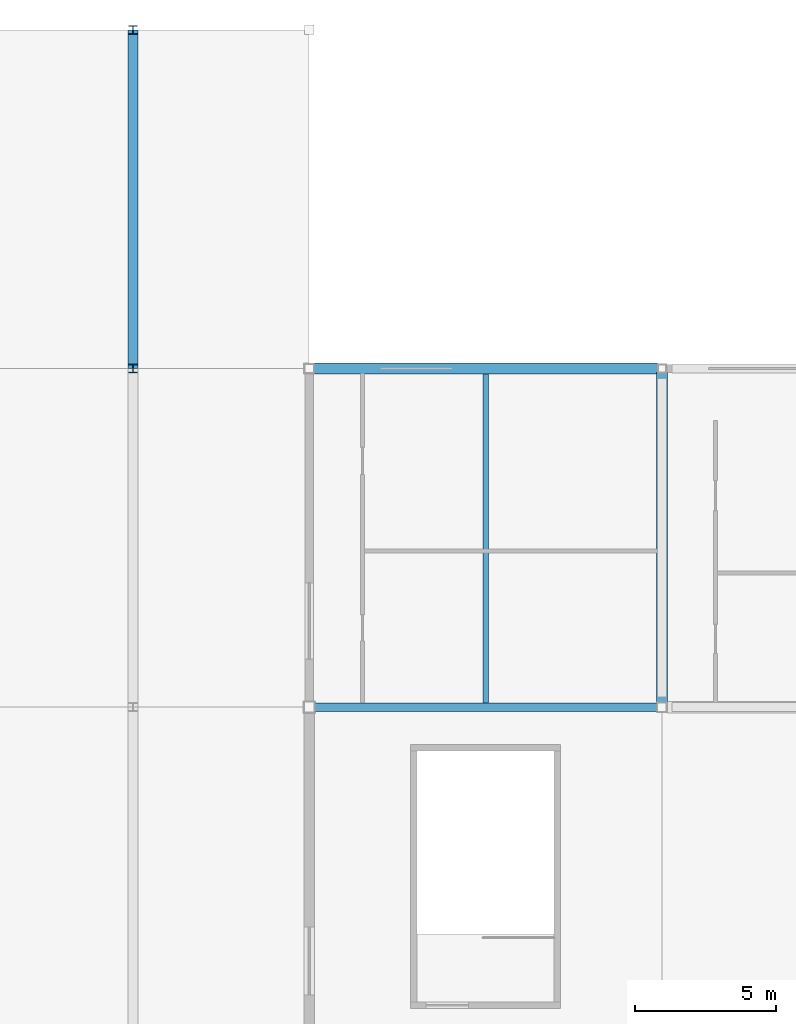
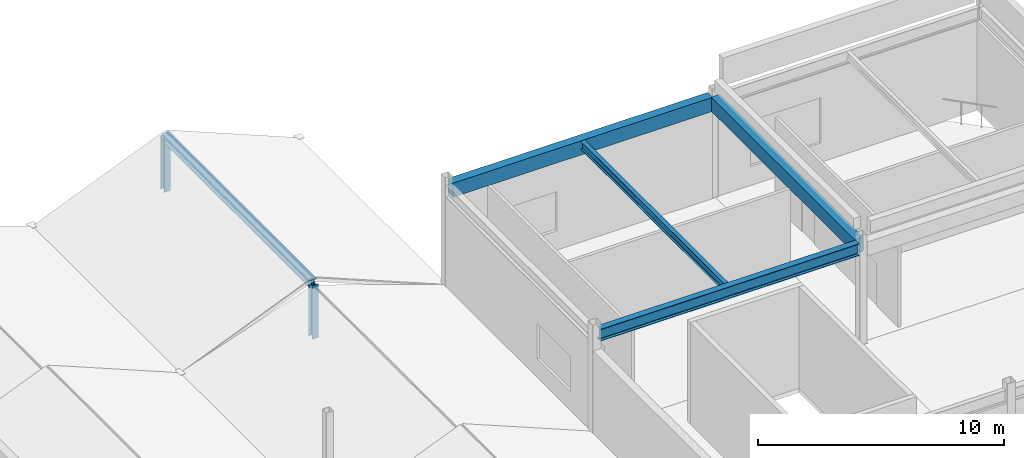
# One storey, part 48 of 76: 4 beams, 3 members.
"""IFC4 building model written with IfcOpenShell, lengths in metres."""

from ifc_helpers import new_model, si_unit, direction, frame, origin, origin_2d, place, context, subcontext, project, spatial, rectangle, i_section, extrude, material, material_profile, profile_set, type_object, element, save


model = new_model("IFC4")

# Units and contexts
model_context = context("Model", 3, precision=1e-05, world=origin(), true_north=direction((0.0, 1.0)))
body_context = subcontext(model_context, "Body", "Model", "MODEL_VIEW")
ifc_project = project(units=[si_unit("LENGTHUNIT", "METRE"), si_unit("AREAUNIT", "SQUARE_METRE"), si_unit("VOLUMEUNIT", "CUBIC_METRE"), si_unit("PLANEANGLEUNIT", "RADIAN"), si_unit("MASSUNIT", "GRAM", prefix="KILO")], contexts=[model_context])

# Site, building, storey
site_placement = place(None, origin())
site = spatial("IfcSite", under=ifc_project, at=site_placement, CompositionType="ELEMENT")
building_placement = place(site_placement, origin())
building = spatial("IfcBuilding", under=site, at=building_placement, Name="Kazenohara Klinker Stadium", CompositionType="ELEMENT")
storey_placement = place(building_placement, frame((0.0, 0.0, 25.800048828125)))
storey = spatial("IfcBuildingStorey", under=building, at=storey_placement, Name="L05", CompositionType="ELEMENT", Elevation=25.800048828125)

# Beams
ifc_material_1 = material(Name="Steel S355", Category="steel")
ifc_material_profile_1 = material_profile(ifc_material_1, i_section(OverallWidth=0.199951171875, OverallDepth=0.39990234375, WebThickness=0.008056640625, FlangeThickness=0.012939453125, FilletRadius=0.012939453125, at=origin_2d()), Name="H-400x200x8x13")
ifc_profile_set_1 = profile_set([ifc_material_profile_1], Name="Steel S355")
beam_type_1 = type_object("IfcBeamType", Name="BM-JST03", PredefinedType="JOIST", material=ifc_profile_set_1)
beam_1_placement = place(storey_placement, frame((181.25, 144.14990234375, 4.83984375), z_axis=(0.0, 1.0, 0.0), x_axis=(-1.0, 0.0, 0.0)))
element("IfcBeam", 1, at=beam_1_placement, inside=storey, type_object=beam_type_1, Name="Secondary floor joist SJ03 L05 15/N", PredefinedType="JOIST", context=body_context, shape_type="SweptSolid", body=[
    extrude(i_section(OverallWidth=0.199951171875, OverallDepth=0.39990234375, WebThickness=0.008056640625, FlangeThickness=0.012939453125, FilletRadius=0.012939453125, at=origin_2d()), origin(), (0.0, 0.0, 1.0), 11.650146484375),
])
ifc_material_2 = material(Name="Concrete C40/50", Category="concrete")
ifc_material_profile_2 = material_profile(ifc_material_2, rectangle(XDim=0.39990234375, YDim=0.699951171875, at=origin_2d()), Name="RC-BM-400x700")
ifc_profile_set_2 = profile_set([ifc_material_profile_2], Name="Concrete C40/50")
beam_type_2 = type_object("IfcBeamType", Name="BM-RC04", PredefinedType="BEAM", material=ifc_profile_set_2)
beam_2_placement = place(storey_placement, frame((175.175048828125, 156.0, 4.68994140625), z_axis=(1.0, 0.0, 0.0), x_axis=(0.0, 1.0, 0.0)))
element("IfcBeam", 2, at=beam_2_placement, inside=storey, type_object=beam_type_2, Name="Primary girder BG04 L05 15-16/P", PredefinedType="BEAM", context=body_context, shape_type="SweptSolid", body=[
    extrude(rectangle(XDim=0.39990234375, YDim=0.699951171875, at=origin_2d()), origin(), (0.0, 0.0, 1.0), 12.175048828125),
])
beam_3_placement = place(storey_placement, frame((187.5, 144.175048828125, 4.68994140625), z_axis=(0.0, 1.0, 0.0), x_axis=(-1.0, 0.0, 0.0)))
element("IfcBeam", 3, at=beam_3_placement, inside=storey, type_object=beam_type_2, Name="Primary girder BG04 L05 16/N-P", PredefinedType="BEAM", context=body_context, shape_type="SweptSolid", body=[
    extrude(rectangle(XDim=0.39990234375, YDim=0.699951171875, at=origin_2d()), origin(), (0.0, 0.0, 1.0), 11.675048828125),
])
ifc_material_profile_3 = material_profile(ifc_material_1, i_section(OverallWidth=0.300048828125, OverallDepth=0.587890625, WebThickness=0.011962890625, FlangeThickness=0.02001953125, FilletRadius=0.02197265625, at=origin_2d()), Name="H-588x300x12x20")
ifc_profile_set_3 = profile_set([ifc_material_profile_3], Name="Steel S355")
beam_type_3 = type_object("IfcBeamType", Name="BM-ST05", PredefinedType="BEAM", material=ifc_profile_set_3)
beam_4_placement = place(storey_placement, frame((175.199951171875, 144.0, 4.745849609375), z_axis=(1.0, 0.0, 0.0), x_axis=(0.0, 1.0, 0.0)))
element("IfcBeam", 4, at=beam_4_placement, inside=storey, type_object=beam_type_3, Name="Primary girder SB05 L05 15-16/N", PredefinedType="BEAM", context=body_context, shape_type="SweptSolid", body=[
    extrude(i_section(OverallWidth=0.300048828125, OverallDepth=0.587890625, WebThickness=0.011962890625, FlangeThickness=0.02001953125, FilletRadius=0.02197265625, at=origin_2d()), origin(), (0.0, 0.0, 1.0), 12.125),
])

# Members
ifc_material_profile_4 = material_profile(ifc_material_1, i_section(OverallWidth=0.35009765625, OverallDepth=0.35009765625, WebThickness=0.011962890625, FlangeThickness=0.01904296875, FilletRadius=0.012939453125, at=origin_2d()), Name="H-350x350x12x19")
ifc_profile_set_4 = profile_set([ifc_material_profile_4], Name="Steel S355")
member_type_1 = type_object("IfcMemberType", Name="MEM-CHD02", PredefinedType="CHORD", material=ifc_profile_set_4)
member_placement = place(storey_placement, frame((168.75, 156.0, 2.22998046875), z_axis=(0.0, 1.0, 0.0), x_axis=(-1.0, 0.0, 0.0)))
element("IfcMember", 5, at=member_placement, inside=storey, type_object=member_type_1, Name="Stepped pavilion gable ridge beam L05 14/P", PredefinedType="CHORD", context=body_context, shape_type="SweptSolid", body=[
    extrude(i_section(OverallWidth=0.35009765625, OverallDepth=0.35009765625, WebThickness=0.011962890625, FlangeThickness=0.01904296875, FilletRadius=0.012939453125, at=origin_2d()), origin(), (0.0, 0.0, 1.0), 12.0),
])
ifc_material_profile_5 = material_profile(ifc_material_1, i_section(OverallWidth=0.300048828125, OverallDepth=0.300048828125, WebThickness=0.010009765625, FlangeThickness=0.014892578125, FilletRadius=0.012939453125, at=origin_2d()), Name="H-300x300x10x15")
ifc_profile_set_5 = profile_set([ifc_material_profile_5], Name="Steel S355")
member_type_2 = type_object("IfcMemberType", Name="MEM-STR01", PredefinedType="STRUT", material=ifc_profile_set_5)
for number, where, z_axis, x_axis, name in (
    (6, (168.75, 156.0, -0.429931640625), (0.0, 0.0, 1.0), (1.0, 0.0, 0.0), "Stepped pavilion gable king-post L05 14/P S"),
    (7, (168.75, 168.0, -0.429931640625), (0.0, 0.0, 1.0), (1.0, 0.0, 0.0), "Stepped pavilion gable king-post L05 14/P N"),
):
    element("IfcMember", number, at=place(storey_placement, frame(where, z_axis=z_axis, x_axis=x_axis)), inside=storey, type_object=member_type_2, Name=name, PredefinedType="STRUT", context=body_context, shape_type="SweptSolid", body=[
        extrude(i_section(OverallWidth=0.300048828125, OverallDepth=0.300048828125, WebThickness=0.010009765625, FlangeThickness=0.014892578125, FilletRadius=0.012939453125, at=origin_2d()), origin(), (0.0, 0.0, 1.0), 2.659912109375),
    ])

save(model, "model.ifc")
